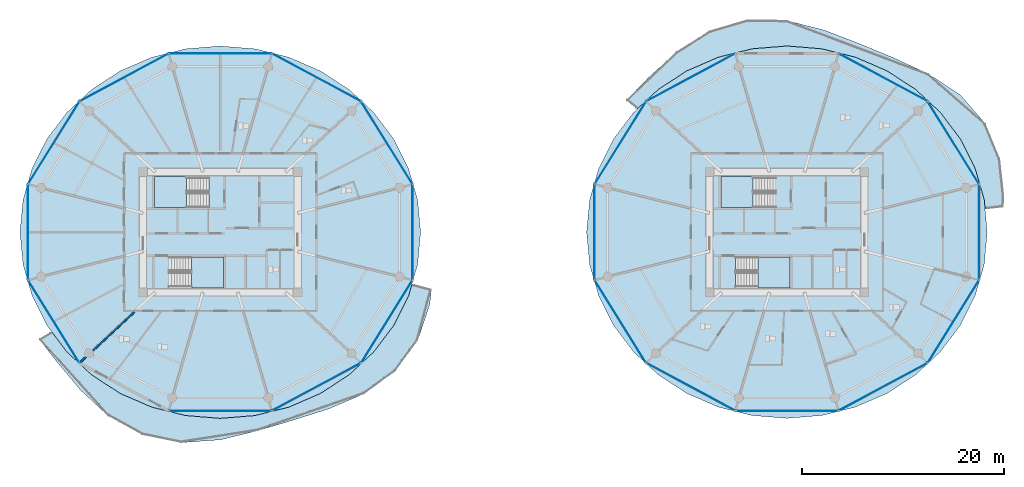
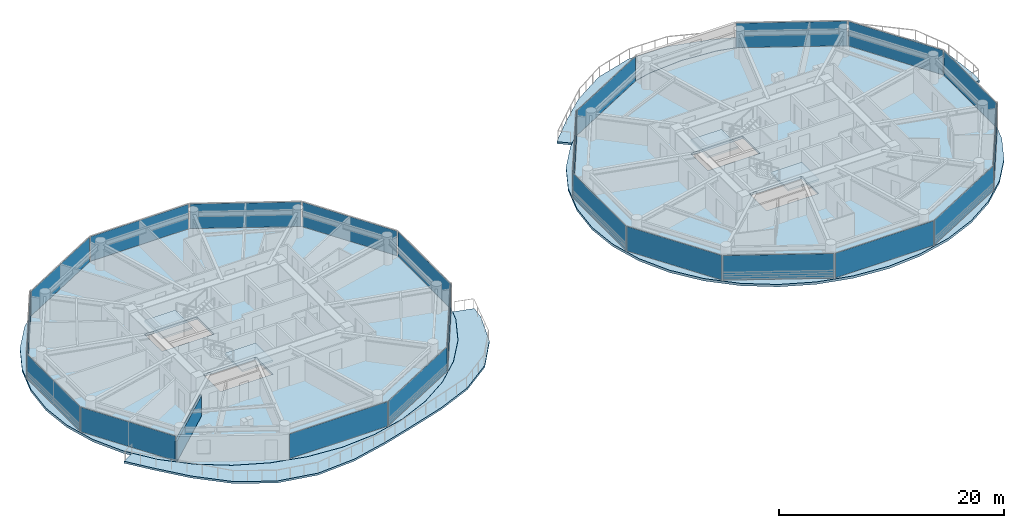
# One storey, part 14 of 27: 22 plates, 8 slabs, 1 wall, 26 elements without a shape of their own.
"""IFC4 building model written with IfcOpenShell, lengths in metres."""

import ifcopenshell
import ifcopenshell.guid

model = None  # the IFC model being written
_history = None  # IfcOwnerHistory: only IFC2X3 demands one
_inside = {}  # id of a spatial element -> (the spatial element, [elements in it])
_under = {}  # id of a project, library or spatial element -> (it, [spatial elements below it])
_declared = {}  # id of a project -> (the project, [libraries it declares])
_typed = {}  # id of a type object -> (the type object, [elements of that type])
_made_of = {}  # id of a material, layer set ... -> (it, [elements and type objects made of it])


def new_model(schema):
    """Start an empty IFC model of exactly this schema.

    Asked for "IFC4X3", IfcOpenShell would pick the latest addendum, in which some entities
    have other attributes; the version numbers below select the first issue.
    IFC2X3 requires an IfcOwnerHistory on every rooted entity: one is made here for all.
    """
    global model, _history
    if schema == "IFC4X3":
        model = ifcopenshell.file(schema_version=(4, 3, 0, 0))
    else:
        model = ifcopenshell.file(schema=schema)
    _inside.clear()
    _under.clear()
    _declared.clear()
    _typed.clear()
    _made_of.clear()
    _history = None
    if model.schema == "IFC2X3":
        org = make("IfcOrganization", Name="unknown")
        user = make(
            "IfcPersonAndOrganization",
            ThePerson=make("IfcPerson", FamilyName="unknown"),
            TheOrganization=org,
        )
        app = make(
            "IfcApplication",
            ApplicationDeveloper=org,
            Version="unknown",
            ApplicationFullName="unknown",
            ApplicationIdentifier="unknown",
        )
        _history = make(
            "IfcOwnerHistory",
            OwningUser=user,
            OwningApplication=app,
            ChangeAction="ADDED",
            CreationDate=0,
        )
    return model


def make(cls, **values):
    """One entity of the class cls with the attributes given. An attribute that is None is left unset."""
    return model.create_entity(
        cls, **{name: value for name, value in values.items() if value is not None}
    )


def rooted(cls, **values):
    """An entity with a GlobalId (a new one), such as an element, a storey or a relation."""
    return make(cls, GlobalId=ifcopenshell.guid.new(), OwnerHistory=_history, **values)


def si_unit(unit_type, name, prefix=None):
    """IfcSIUnit, for example si_unit("LENGTHUNIT", "METRE", prefix="MILLI")."""
    return make("IfcSIUnit", UnitType=unit_type, Prefix=prefix, Name=name)


def assignment(units):
    """IfcUnitAssignment: the units of a project."""
    return None if units is None else make("IfcUnitAssignment", Units=units)


def point(xyz):
    """IfcCartesianPoint."""
    return None if xyz is None else make("IfcCartesianPoint", Coordinates=xyz)


def direction(xyz):
    """IfcDirection."""
    return None if xyz is None else make("IfcDirection", DirectionRatios=xyz)


def frame(location, z_axis=None, x_axis=None):
    """IfcAxis2Placement3D, a coordinate frame: its origin and axes. An axis left out is left unset."""
    return make(
        "IfcAxis2Placement3D",
        Location=point(location),
        Axis=direction(z_axis),
        RefDirection=direction(x_axis),
    )


def frame_2d(location, x_axis=None):
    """IfcAxis2Placement2D, a coordinate frame in the plane: its origin and x axis."""
    return make(
        "IfcAxis2Placement2D", Location=point(location), RefDirection=direction(x_axis)
    )


def origin():
    """The frame at (0, 0, 0) with its axes left unset."""
    return frame((0.0, 0.0, 0.0))


def origin_2d():
    """The frame at (0, 0) in the plane with its x axis left unset."""
    return frame_2d((0.0, 0.0))


def place(relative_to, where):
    """IfcLocalPlacement: puts the frame where relative to a parent placement (None: the world)."""
    return make(
        "IfcLocalPlacement", PlacementRelTo=relative_to, RelativePlacement=where
    )


def context(
    kind, dimensions, precision=None, world=None, true_north=None, identifier=None
):
    """IfcGeometricRepresentationContext, for example the 3D "Model" context."""
    return make(
        "IfcGeometricRepresentationContext",
        ContextIdentifier=identifier,
        ContextType=kind,
        CoordinateSpaceDimension=dimensions,
        Precision=precision,
        WorldCoordinateSystem=world,
        TrueNorth=true_north,
    )


def subcontext(parent, identifier, kind, view, scale=None):
    """IfcGeometricRepresentationSubContext, for example "Body" below "Model"."""
    return make(
        "IfcGeometricRepresentationSubContext",
        ContextIdentifier=identifier,
        ContextType=kind,
        ParentContext=parent,
        TargetScale=scale,
        TargetView=view,
    )


def project(units=None, contexts=None):
    """IfcProject with its units and contexts."""
    return rooted(
        "IfcProject",
        Name="project",
        RepresentationContexts=contexts,
        UnitsInContext=assignment(units),
    )


def spatial(cls, under=None, at=None, **own):
    """A site, building, storey or space (cls), placed at a placement, below another one or the project."""
    s = rooted(cls, ObjectPlacement=at, **own)
    if under is not None:
        _under.setdefault(under.id(), (under, []))[1].append(s)
    return s


def polyline(points):
    """IfcPolyline through the points."""
    return make("IfcPolyline", Points=[point(p) for p in points])


def profile(cls, at=None, kind="AREA", **sizes):
    """A parametric profile (cls). Its sizes go by their IFC names, for example OverallWidth=200.0."""
    return make(cls, ProfileType=kind, Position=at, **sizes)


def rectangle(**sizes):
    """IfcRectangleProfileDef."""
    return profile("IfcRectangleProfileDef", **sizes)


def outline(outer, holes=None, kind="AREA"):
    """IfcArbitraryClosedProfileDef: a profile drawn as a closed curve; with holes, ...WithVoids."""
    if holes is None:
        return make("IfcArbitraryClosedProfileDef", ProfileType=kind, OuterCurve=outer)
    return make(
        "IfcArbitraryProfileDefWithVoids",
        ProfileType=kind,
        OuterCurve=outer,
        InnerCurves=holes,
    )


def extrude(swept, where, along, depth):
    """IfcExtrudedAreaSolid: the profile swept, set in the frame where, extruded along a direction by depth."""
    return make(
        "IfcExtrudedAreaSolid",
        SweptArea=swept,
        Position=where,
        ExtrudedDirection=direction(along),
        Depth=depth,
    )


def shape(context_of_items, identifier, shape_type, items):
    """IfcShapeRepresentation: the items that make up one representation, for example the "Body"."""
    return make(
        "IfcShapeRepresentation",
        ContextOfItems=context_of_items,
        RepresentationIdentifier=identifier,
        RepresentationType=shape_type,
        Items=items,
    )


def source(mapping_origin, context_of_items, identifier, shape_type, items):
    """IfcRepresentationMap: a shape defined once, which mapped items show again and again."""
    return make(
        "IfcRepresentationMap",
        MappingOrigin=mapping_origin,
        MappedRepresentation=shape(context_of_items, identifier, shape_type, items),
    )


def transform(
    local_origin,
    x_axis=None,
    y_axis=None,
    z_axis=None,
    scale=None,
    scale2=None,
    scale3=None,
    uniform=True,
):
    """IfcCartesianTransformationOperator3D, or its non-uniform kind. x_axis, y_axis, z_axis: its Axis1, 2, 3."""
    if uniform:
        return make(
            "IfcCartesianTransformationOperator3D",
            Axis1=direction(x_axis),
            Axis2=direction(y_axis),
            LocalOrigin=point(local_origin),
            Scale=scale,
            Axis3=direction(z_axis),
        )
    return make(
        "IfcCartesianTransformationOperator3DnonUniform",
        Axis1=direction(x_axis),
        Axis2=direction(y_axis),
        LocalOrigin=point(local_origin),
        Scale=scale,
        Axis3=direction(z_axis),
        Scale2=scale2,
        Scale3=scale3,
    )


def mapped(mapping_source, mapping_target):
    """IfcMappedItem: shows the shape of a source again, moved by a transform."""
    return make(
        "IfcMappedItem", MappingSource=mapping_source, MappingTarget=mapping_target
    )


def material(Name=None, Category=None):
    """IfcMaterial."""
    return make("IfcMaterial", Name=Name, Category=Category)


def layer(
    of_material, thickness, ventilated=None, Name=None, Category=None, Priority=None
):
    """IfcMaterialLayer: one layer of a wall or slab, of a material (None: an air gap)."""
    return make(
        "IfcMaterialLayer",
        Material=of_material,
        LayerThickness=thickness,
        IsVentilated=ventilated,
        Name=Name,
        Category=Category,
        Priority=Priority,
    )


def layer_set(layers, Name=None):
    """IfcMaterialLayerSet."""
    return make("IfcMaterialLayerSet", MaterialLayers=layers, LayerSetName=Name)


def made_of(thing, what):
    """Note that an element or type object is made of a material, layer set ...; save() writes the relation."""
    if what is not None:
        _made_of.setdefault(what.id(), (what, []))[1].append(thing)
    return thing


def type_object(cls, material=None, **own):
    """A type object (cls), such as IfcWallType, which elements share."""
    return made_of(rooted(cls, **own), material)


def type_shapes(of_type, sources):
    """Give a type object the sources (RepresentationMaps) that its elements show as mapped items."""
    of_type.RepresentationMaps = sources


def element(
    cls,
    number,
    at=None,
    inside=None,
    cuts=None,
    type_object=None,
    material=None,
    context=None,
    identifier="Body",
    shape_type=None,
    held_by="IfcProductDefinitionShape",
    body=None,
    shapes=None,
    **own,
):
    """One element of the class cls, such as IfcWall. Its Tag is "e" and its number.

    at: its placement. inside: the storey or other place that contains it. cuts: it is an
    opening in that element (IfcRelVoidsElement). A single representation is given by context,
    identifier, shape_type and body (its items); several are given by shapes. held_by: the class
    of the entity that holds the representations. save() writes the other relations.
    """
    e = rooted(cls, Tag="e%d" % number, ObjectPlacement=at, **own)
    if body is not None:
        shapes = [shape(context, identifier, shape_type, body)]
    if shapes is not None:
        e.Representation = make(held_by, Representations=shapes)
    if inside is not None:
        _inside.setdefault(inside.id(), (inside, []))[1].append(e)
    if cuts is not None:
        rooted(
            "IfcRelVoidsElement", RelatingBuildingElement=cuts, RelatedOpeningElement=e
        )
    if type_object is not None:
        _typed.setdefault(type_object.id(), (type_object, []))[1].append(e)
    return made_of(e, material)


def aggregate(whole, parts):
    """IfcRelAggregates: a whole, such as a stair, and the parts it consists of."""
    return rooted("IfcRelAggregates", RelatingObject=whole, RelatedObjects=parts)


def save(model, path):
    """Write the relations noted so far, then the file.

    IfcRelAggregates (storeys below a building ...), IfcRelContainedInSpatialStructure (elements
    in a storey), IfcRelDefinesByType, IfcRelAssociatesMaterial and IfcRelDeclares: one each for
    every whole, place, type object, material and project.
    """
    for whole, parts in _under.values():
        aggregate(whole, parts)
    for where, things in _inside.values():
        rooted(
            "IfcRelContainedInSpatialStructure",
            RelatedElements=things,
            RelatingStructure=where,
        )
    for kind, things in _typed.values():
        rooted("IfcRelDefinesByType", RelatedObjects=things, RelatingType=kind)
    for what, things in _made_of.values():
        rooted("IfcRelAssociatesMaterial", RelatedObjects=things, RelatingMaterial=what)
    for by, libraries in _declared.values():
        rooted("IfcRelDeclares", RelatingContext=by, RelatedDefinitions=libraries)
    model.write(path)


model = new_model("IFC4")

# Units and contexts
model_context = context("Model", 3, precision=1e-05, world=origin(), true_north=direction((0.0, 1.0)))
body_context = subcontext(model_context, "Body", "Model", "MODEL_VIEW")
ifc_project = project(units=[si_unit("LENGTHUNIT", "METRE"), si_unit("AREAUNIT", "SQUARE_METRE"), si_unit("VOLUMEUNIT", "CUBIC_METRE"), si_unit("PLANEANGLEUNIT", "RADIAN"), si_unit("MASSUNIT", "GRAM", prefix="KILO")], contexts=[model_context])

# Site, building, storey
site_placement = place(None, origin())
site = spatial("IfcSite", under=ifc_project, at=site_placement, CompositionType="ELEMENT")
building_placement = place(site_placement, origin())
building = spatial("IfcBuilding", under=site, at=building_placement, Name="Norrkilde Senior Care Towers", CompositionType="ELEMENT")
storey_placement = place(building_placement, frame((0.0, 0.0, 52.10009765625)))
storey = spatial("IfcBuildingStorey", under=building, at=storey_placement, Name="L15", CompositionType="ELEMENT", Elevation=52.10009765625)

# Slabs
ifc_material_1 = material(Name="Concrete C50/60", Category="concrete")
ifc_layer_1 = layer(ifc_material_1, 0.215087890625)
ifc_layer_set_1 = layer_set([ifc_layer_1], Name="Concrete C50/60")
slab_type_1 = type_object("IfcSlabType", Name="Sinusoidal Balcony Ribbon Slab 215", PredefinedType="FLOOR", material=ifc_layer_set_1)
slab_1_placement = place(storey_placement, frame((0.0, 0.0, -0.215087890625)))
element("IfcSlab", 1, at=slab_1_placement, inside=storey, type_object=slab_type_1, Name="L15 Drum W Swirling Senior Balcony 1", PredefinedType="FLOOR", context=body_context, shape_type="SweptSolid", body=[
    extrude(outline(polyline([(-8.4775390625, -10.675537109375), (-10.714599609375, -13.739501953125), (-13.80322265625, -15.97998046875), (-17.278564453125, -17.4658203125), (-20.791748046875, -18.580322265625), (-24.314208984375, -19.631591796875), (-28.0, -20.52490234375), (-31.8779296875, -20.803466796875), (-35.697509765625, -20.0263671875), (-39.087890625, -18.14892578125), (-41.870849609375, -15.56201171875), (-44.204345703125, -12.763427734375), (-45.904296875, -10.580810546875), (-44.6650390625, -9.848388671875), (-43.171630859375, -11.83056640625), (-40.73046875, -14.09912109375), (-37.902587890625, -15.939208984375), (-34.773681640625, -17.294921875), (-31.439208984375, -18.12548828125), (-28.0, -18.405029296875), (-24.560791015625, -18.12548828125), (-21.226318359375, -17.294921875), (-18.097412109375, -15.939208984375), (-15.26953125, -14.09912109375), (-12.828369140625, -11.83056640625), (-10.848388671875, -9.202392578125), (-9.389404296875, -6.294921875), (-9.0556640625, -5.137451171875), (-7.1337890625, -5.65869140625), (-7.2900390625, -7.1171875), (-8.4775390625, -10.675537109375)])), origin(), (0.0, 0.0, 1.0), 0.215087890625),
])
slab_2_placement = place(storey_placement, frame((0.0, 0.0, -0.215087890625)))
element("IfcSlab", 2, at=slab_2_placement, inside=storey, type_object=slab_type_1, Name="L15 Drum E Swirling Senior Balcony 1", PredefinedType="FLOOR", context=body_context, shape_type="SweptSolid", body=[
    extrude(outline(polyline([(17.095458984375, 17.807373046875), (20.35693359375, 19.86572265625), (24.0947265625, 20.970703125), (28.0, 20.91259765625), (31.739013671875, 19.955810546875), (35.219482421875, 18.613525390625), (38.58740234375, 17.216064453125), (41.951171875, 15.664794921875), (45.114501953125, 13.585205078125), (47.610595703125, 10.73046875), (49.04833984375, 7.249755859375), (49.454833984375, 3.566162109375), (49.393798828125, 2.484375), (47.5908203125, 2.27490234375), (47.504150390625, 3.196044921875), (46.610595703125, 6.294921875), (45.151611328125, 9.202392578125), (43.171630859375, 11.83056640625), (40.73046875, 14.09912109375), (37.902587890625, 15.939208984375), (34.773681640625, 17.294921875), (31.439208984375, 18.12548828125), (28.0, 18.405029296875), (24.560791015625, 18.12548828125), (21.226318359375, 17.294921875), (18.097412109375, 15.939208984375), (15.26953125, 14.09912109375), (13.195068359375, 12.17138671875), (12.125732421875, 13.050537109375), (14.3310546875, 15.302734375), (17.095458984375, 17.807373046875)])), origin(), (0.0, 0.0, 1.0), 0.215087890625),
])

# Stair, slab
ifc_material_2 = material(Name="Concrete C45/55", Category="concrete")
stair_type = type_object("IfcStairType", Name="Core Protected Dogleg Stair Typical 3050", PredefinedType="HALF_TURN_STAIR", material=ifc_material_2)
stair_1_placement = place(storey_placement, origin())
stair_1 = element("IfcStair", 3, at=stair_1_placement, inside=storey, type_object=stair_type, Name="L15 Protected Core Stair W1", PredefinedType="HALF_TURN_STAIR")
ifc_layer_2 = layer(ifc_material_2, 0.199951171875)
ifc_layer_set_2 = layer_set([ifc_layer_2], Name="Concrete C45/55")
slab_type_2 = type_object("IfcSlabType", Name="Stair Landing Slab 200", PredefinedType="LANDING", material=ifc_layer_set_2)
slab_3_placement = place(storey_placement, frame((0.0, 0.0, 1.324951171875)))
slab_3 = element("IfcSlab", 4, at=slab_3_placement, type_object=slab_type_2, Name="ST-W1 landing 1", PredefinedType="LANDING", context=body_context, shape_type="SweptSolid", body=[
    extrude(outline(polyline([(-31.340087890625, 5.52490234375), (-34.5, 5.52490234375), (-34.5, 2.449951171875), (-31.340087890625, 2.449951171875), (-31.340087890625, 5.52490234375)])), origin(), (0.0, 0.0, 1.0), 0.199951171875),
])
aggregate(stair_1, [slab_3])

stair_2_placement = place(storey_placement, origin())
stair_2 = element("IfcStair", 5, at=stair_2_placement, inside=storey, type_object=stair_type, Name="L15 Protected Core Stair W2", PredefinedType="HALF_TURN_STAIR")
slab_4_placement = place(storey_placement, frame((0.0, 0.0, 1.324951171875)))
slab_4 = element("IfcSlab", 6, at=slab_4_placement, type_object=slab_type_2, Name="ST-W2 landing 1", PredefinedType="LANDING", context=body_context, shape_type="SweptSolid", body=[
    extrude(outline(polyline([(-30.860107421875, -5.52490234375), (-27.699951171875, -5.52490234375), (-27.699951171875, -2.449951171875), (-30.860107421875, -2.449951171875), (-30.860107421875, -5.52490234375)])), origin(), (0.0, 0.0, 1.0), 0.199951171875),
])
aggregate(stair_2, [slab_4])

stair_3_placement = place(storey_placement, origin())
stair_3 = element("IfcStair", 7, at=stair_3_placement, inside=storey, type_object=stair_type, Name="L15 Protected Core Stair E1", PredefinedType="HALF_TURN_STAIR")
slab_5_placement = place(storey_placement, frame((0.0, 0.0, 1.324951171875)))
slab_5 = element("IfcSlab", 8, at=slab_5_placement, type_object=slab_type_2, Name="ST-E1 landing 1", PredefinedType="LANDING", context=body_context, shape_type="SweptSolid", body=[
    extrude(outline(polyline([(24.659912109375, 5.52490234375), (21.5, 5.52490234375), (21.5, 2.449951171875), (24.659912109375, 2.449951171875), (24.659912109375, 5.52490234375)])), origin(), (0.0, 0.0, 1.0), 0.199951171875),
])
aggregate(stair_3, [slab_5])

stair_4_placement = place(storey_placement, origin())
stair_4 = element("IfcStair", 9, at=stair_4_placement, inside=storey, type_object=stair_type, Name="L15 Protected Core Stair E2", PredefinedType="HALF_TURN_STAIR")
slab_6_placement = place(storey_placement, frame((0.0, 0.0, 1.324951171875)))
slab_6 = element("IfcSlab", 10, at=slab_6_placement, type_object=slab_type_2, Name="ST-E2 landing 1", PredefinedType="LANDING", context=body_context, shape_type="SweptSolid", body=[
    extrude(outline(polyline([(25.139892578125, -5.52490234375), (28.300048828125, -5.52490234375), (28.300048828125, -2.449951171875), (25.139892578125, -2.449951171875), (25.139892578125, -5.52490234375)])), origin(), (0.0, 0.0, 1.0), 0.199951171875),
])
aggregate(stair_4, [slab_6])

# Slabs
ifc_layer_3 = layer(ifc_material_1, 0.260009765625)
ifc_layer_set_3 = layer_set([ifc_layer_3], Name="Concrete C50/60")
slab_type_3 = type_object("IfcSlabType", Name="Tower Care Floor Slab 260", PredefinedType="FLOOR", material=ifc_layer_set_3)
slab_7_placement = place(storey_placement, frame((0.0, 0.0, -0.260009765625)))
element("IfcSlab", 11, at=slab_7_placement, inside=storey, type_object=slab_type_3, Name="L15 Drum W Structural Floor Slab", PredefinedType="FLOOR", context=body_context, shape_type="SweptSolid", body=[
    extrude(outline(polyline([(-9.39404296875, -6.293212890625), (-10.852783203125, -9.199951171875), (-12.832275390625, -11.827392578125), (-15.272705078125, -14.09521484375), (-18.10009765625, -15.934814453125), (-21.22802734375, -17.290283203125), (-24.561767578125, -18.120361328125), (-28.0, -18.39990234375), (-31.438232421875, -18.120361328125), (-34.77197265625, -17.290283203125), (-37.89990234375, -15.934814453125), (-40.727294921875, -14.09521484375), (-43.167724609375, -11.827392578125), (-45.147216796875, -9.199951171875), (-46.60595703125, -6.293212890625), (-47.499267578125, -3.195068359375), (-47.800048828125, 0.0), (-47.499267578125, 3.195068359375), (-46.60595703125, 6.293212890625), (-45.147216796875, 9.199951171875), (-43.167724609375, 11.827392578125), (-40.727294921875, 14.09521484375), (-37.89990234375, 15.934814453125), (-34.77197265625, 17.290283203125), (-31.438232421875, 18.120361328125), (-28.0, 18.39990234375), (-24.561767578125, 18.120361328125), (-21.22802734375, 17.290283203125), (-18.10009765625, 15.934814453125), (-15.272705078125, 14.09521484375), (-12.832275390625, 11.827392578125), (-10.852783203125, 9.199951171875), (-9.39404296875, 6.293212890625), (-8.500732421875, 3.195068359375), (-8.199951171875, 0.0), (-8.500732421875, -3.195068359375), (-9.39404296875, -6.293212890625)]), holes=[polyline([(-34.48193359375, 2.468017578125), (-29.117919921875, 2.468017578125), (-29.117919921875, 5.52490234375), (-34.48193359375, 5.52490234375), (-34.48193359375, 2.468017578125)]), polyline([(-27.718017578125, -5.52490234375), (-27.718017578125, -2.468017578125), (-33.08203125, -2.468017578125), (-33.08203125, -5.52490234375), (-27.718017578125, -5.52490234375)])]), origin(), (0.0, 0.0, 1.0), 0.260009765625),
])
slab_8_placement = place(storey_placement, frame((0.0, 0.0, -0.260009765625)))
element("IfcSlab", 12, at=slab_8_placement, inside=storey, type_object=slab_type_3, Name="L15 Drum E Structural Floor Slab", PredefinedType="FLOOR", context=body_context, shape_type="SweptSolid", body=[
    extrude(outline(polyline([(46.60595703125, -6.293212890625), (45.147216796875, -9.199951171875), (43.167724609375, -11.827392578125), (40.727294921875, -14.09521484375), (37.89990234375, -15.934814453125), (34.77197265625, -17.290283203125), (31.438232421875, -18.120361328125), (28.0, -18.39990234375), (24.561767578125, -18.120361328125), (21.22802734375, -17.290283203125), (18.10009765625, -15.934814453125), (15.272705078125, -14.09521484375), (12.832275390625, -11.827392578125), (10.852783203125, -9.199951171875), (9.39404296875, -6.293212890625), (8.500732421875, -3.195068359375), (8.199951171875, 0.0), (8.500732421875, 3.195068359375), (9.39404296875, 6.293212890625), (10.852783203125, 9.199951171875), (12.832275390625, 11.827392578125), (15.272705078125, 14.09521484375), (18.10009765625, 15.934814453125), (21.22802734375, 17.290283203125), (24.561767578125, 18.120361328125), (28.0, 18.39990234375), (31.438232421875, 18.120361328125), (34.77197265625, 17.290283203125), (37.89990234375, 15.934814453125), (40.727294921875, 14.09521484375), (43.167724609375, 11.827392578125), (45.147216796875, 9.199951171875), (46.60595703125, 6.293212890625), (47.499267578125, 3.195068359375), (47.800048828125, 0.0), (47.499267578125, -3.195068359375), (46.60595703125, -6.293212890625)]), holes=[polyline([(21.51806640625, 2.468017578125), (26.882080078125, 2.468017578125), (26.882080078125, 5.52490234375), (21.51806640625, 5.52490234375), (21.51806640625, 2.468017578125)]), polyline([(28.281982421875, -5.52490234375), (28.281982421875, -2.468017578125), (22.91796875, -2.468017578125), (22.91796875, -5.52490234375), (28.281982421875, -5.52490234375)])]), origin(), (0.0, 0.0, 1.0), 0.260009765625),
])

# Curtain wall, plate
ifc_material_3 = material(Name="Triple Low-E Insulated Glazing", Category="glass")
ifc_layer_4 = layer(ifc_material_3, 0.199951171875)
ifc_layer_set_4 = layer_set([ifc_layer_4], Name="Triple Low-E Insulated Glazing")
curtain_wall_type = type_object("IfcCurtainWallType", Name="CW2 Zone 1 Memory Care Curtain Wall", PredefinedType="NOTDEFINED", material=ifc_layer_set_4)
curtain_wall_1_placement = place(storey_placement, origin())
curtain_wall_1 = element("IfcCurtainWall", 13, at=curtain_wall_1_placement, inside=storey, type_object=curtain_wall_type, Name="L15 Drum W Curtain Wall 00", PredefinedType="NOTDEFINED")
ifc_layer_5 = layer(ifc_material_3, 0.035888671875)
ifc_layer_set_5 = layer_set([ifc_layer_5], Name="Triple Low-E Insulated Glazing")
plate_type = type_object("IfcPlateType", Name="Triple Low-E Vision Curtain Panel 36", PredefinedType="CURTAIN_PANEL", material=ifc_layer_set_5)
shared_shape_1 = source(origin(), body_context, "Body", "SweptSolid", [
    extrude(rectangle(XDim=9.518798828125, YDim=0.035888671875, at=origin_2d()), origin(), (0.0, 0.0, 1.0), 2.669921875),
])
plate_1_placement = place(storey_placement, frame((-11.537353515625, 8.82861328125, 0.06005859375), z_axis=(0.0, 0.0, 1.0), x_axis=(0.527900951871, -0.849305943117, 0.0)))
plate_1 = element("IfcPlate", 14, at=plate_1_placement, type_object=plate_type, Name="CW-2 panel 1.1", PredefinedType="CURTAIN_PANEL", context=body_context, shape_type="MappedRepresentation", body=[
    mapped(shared_shape_1, transform((0.0, 0.0, 0.0), x_axis=(1.0, 0.0, 0.0), y_axis=(0.0, 1.0, 0.0), z_axis=(0.0, 0.0, 1.0), scale=1.0)),
])
aggregate(curtain_wall_1, [plate_1])

curtain_wall_2_placement = place(storey_placement, origin())
curtain_wall_2 = element("IfcCurtainWall", 15, at=curtain_wall_2_placement, inside=storey, type_object=curtain_wall_type, Name="L15 Drum W Curtain Wall 04", PredefinedType="NOTDEFINED")
plate_2_placement = place(storey_placement, frame((-44.462646484375, 8.82861328125, 0.06005859375), z_axis=(0.0, 0.0, 1.0), x_axis=(0.527900951871, 0.849305943117, 0.0)))
plate_2 = element("IfcPlate", 16, at=plate_2_placement, type_object=plate_type, Name="CW-2 panel 1.1", PredefinedType="CURTAIN_PANEL", context=body_context, shape_type="MappedRepresentation", body=[
    mapped(shared_shape_1, transform((0.0, 0.0, 0.0), x_axis=(1.0, 0.0, 0.0), y_axis=(0.0, 1.0, 0.0), z_axis=(0.0, 0.0, 1.0), scale=1.0)),
])
aggregate(curtain_wall_2, [plate_2])

curtain_wall_3_placement = place(storey_placement, origin())
curtain_wall_3 = element("IfcCurtainWall", 17, at=curtain_wall_3_placement, inside=storey, type_object=curtain_wall_type, Name="L15 Drum W Curtain Wall 06", PredefinedType="NOTDEFINED")
plate_3_placement = place(storey_placement, frame((-44.462646484375, -8.82861328125, 0.06005859375), z_axis=(0.0, 0.0, 1.0), x_axis=(-0.527900951871, 0.849305943117, 0.0)))
plate_3 = element("IfcPlate", 18, at=plate_3_placement, type_object=plate_type, Name="CW-2 panel 1.1", PredefinedType="CURTAIN_PANEL", context=body_context, shape_type="MappedRepresentation", body=[
    mapped(shared_shape_1, transform((0.0, 0.0, 0.0), x_axis=(1.0, 0.0, 0.0), y_axis=(0.0, 1.0, 0.0), z_axis=(0.0, 0.0, 1.0), scale=1.0)),
])
aggregate(curtain_wall_3, [plate_3])

curtain_wall_4_placement = place(storey_placement, origin())
curtain_wall_4 = element("IfcCurtainWall", 19, at=curtain_wall_4_placement, inside=storey, type_object=curtain_wall_type, Name="L15 Drum W Curtain Wall 10", PredefinedType="NOTDEFINED")
plate_4_placement = place(storey_placement, frame((-11.537353515625, -8.82861328125, 0.06005859375), z_axis=(0.0, 0.0, 1.0), x_axis=(-0.527900951871, -0.849305943117, 0.0)))
plate_4 = element("IfcPlate", 20, at=plate_4_placement, type_object=plate_type, Name="CW-2 panel 1.1", PredefinedType="CURTAIN_PANEL", context=body_context, shape_type="MappedRepresentation", body=[
    mapped(shared_shape_1, transform((0.0, 0.0, 0.0), x_axis=(1.0, 0.0, 0.0), y_axis=(0.0, 1.0, 0.0), z_axis=(0.0, 0.0, 1.0), scale=1.0)),
])
aggregate(curtain_wall_4, [plate_4])

curtain_wall_5_placement = place(storey_placement, origin())
curtain_wall_5 = element("IfcCurtainWall", 21, at=curtain_wall_5_placement, inside=storey, type_object=curtain_wall_type, Name="L15 Drum E Curtain Wall 00", PredefinedType="NOTDEFINED")
plate_5_placement = place(storey_placement, frame((44.462646484375, 8.82861328125, 0.06005859375), z_axis=(0.0, 0.0, 1.0), x_axis=(0.527900951871, -0.849305943117, 0.0)))
plate_5 = element("IfcPlate", 22, at=plate_5_placement, type_object=plate_type, Name="CW-2 panel 1.1", PredefinedType="CURTAIN_PANEL", context=body_context, shape_type="MappedRepresentation", body=[
    mapped(shared_shape_1, transform((0.0, 0.0, 0.0), x_axis=(1.0, 0.0, 0.0), y_axis=(0.0, 1.0, 0.0), z_axis=(0.0, 0.0, 1.0), scale=1.0)),
])
aggregate(curtain_wall_5, [plate_5])

curtain_wall_6_placement = place(storey_placement, origin())
curtain_wall_6 = element("IfcCurtainWall", 23, at=curtain_wall_6_placement, inside=storey, type_object=curtain_wall_type, Name="L15 Drum E Curtain Wall 04", PredefinedType="NOTDEFINED")
plate_6_placement = place(storey_placement, frame((11.537353515625, 8.82861328125, 0.06005859375), z_axis=(0.0, 0.0, 1.0), x_axis=(0.527900951871, 0.849305943117, 0.0)))
plate_6 = element("IfcPlate", 24, at=plate_6_placement, type_object=plate_type, Name="CW-2 panel 1.1", PredefinedType="CURTAIN_PANEL", context=body_context, shape_type="MappedRepresentation", body=[
    mapped(shared_shape_1, transform((0.0, 0.0, 0.0), x_axis=(1.0, 0.0, 0.0), y_axis=(0.0, 1.0, 0.0), z_axis=(0.0, 0.0, 1.0), scale=1.0)),
])
aggregate(curtain_wall_6, [plate_6])

curtain_wall_7_placement = place(storey_placement, origin())
curtain_wall_7 = element("IfcCurtainWall", 25, at=curtain_wall_7_placement, inside=storey, type_object=curtain_wall_type, Name="L15 Drum E Curtain Wall 06", PredefinedType="NOTDEFINED")
plate_7_placement = place(storey_placement, frame((11.537353515625, -8.82861328125, 0.06005859375), z_axis=(0.0, 0.0, 1.0), x_axis=(-0.527900951871, 0.849305943117, 0.0)))
plate_7 = element("IfcPlate", 26, at=plate_7_placement, type_object=plate_type, Name="CW-2 panel 1.1", PredefinedType="CURTAIN_PANEL", context=body_context, shape_type="MappedRepresentation", body=[
    mapped(shared_shape_1, transform((0.0, 0.0, 0.0), x_axis=(1.0, 0.0, 0.0), y_axis=(0.0, 1.0, 0.0), z_axis=(0.0, 0.0, 1.0), scale=1.0)),
])
aggregate(curtain_wall_7, [plate_7])

curtain_wall_8_placement = place(storey_placement, origin())
curtain_wall_8 = element("IfcCurtainWall", 27, at=curtain_wall_8_placement, inside=storey, type_object=curtain_wall_type, Name="L15 Drum E Curtain Wall 10", PredefinedType="NOTDEFINED")
plate_8_placement = place(storey_placement, frame((44.462646484375, -8.82861328125, 0.06005859375), z_axis=(0.0, 0.0, 1.0), x_axis=(-0.527900951871, -0.849305943117, 0.0)))
plate_8 = element("IfcPlate", 28, at=plate_8_placement, type_object=plate_type, Name="CW-2 panel 1.1", PredefinedType="CURTAIN_PANEL", context=body_context, shape_type="MappedRepresentation", body=[
    mapped(shared_shape_1, transform((0.0, 0.0, 0.0), x_axis=(1.0, 0.0, 0.0), y_axis=(0.0, 1.0, 0.0), z_axis=(0.0, 0.0, 1.0), scale=1.0)),
])
aggregate(curtain_wall_8, [plate_8])

curtain_wall_9_placement = place(storey_placement, origin())
curtain_wall_9 = element("IfcCurtainWall", 29, at=curtain_wall_9_placement, inside=storey, type_object=curtain_wall_type, Name="L15 Drum W Curtain Wall 01", PredefinedType="NOTDEFINED")
shared_shape_2 = source(origin(), body_context, "Body", "SweptSolid", [
    extrude(rectangle(XDim=9.880859375, YDim=0.035888671875, at=origin_2d()), origin(), (0.0, 0.0, 1.0), 2.669921875),
])
plate_9_placement = place(storey_placement, frame((-18.495361328125, 15.29150390625, 0.06005859375), z_axis=(0.0, 0.0, 1.0), x_axis=(0.881272866403, -0.472607802456, 0.0)))
plate_9 = element("IfcPlate", 30, at=plate_9_placement, type_object=plate_type, Name="CW-2 panel 1.1", PredefinedType="CURTAIN_PANEL", context=body_context, shape_type="MappedRepresentation", body=[
    mapped(shared_shape_2, transform((0.0, 0.0, 0.0), x_axis=(1.0, 0.0, 0.0), y_axis=(0.0, 1.0, 0.0), z_axis=(0.0, 0.0, 1.0), scale=1.0)),
])
aggregate(curtain_wall_9, [plate_9])

curtain_wall_10_placement = place(storey_placement, origin())
curtain_wall_10 = element("IfcCurtainWall", 31, at=curtain_wall_10_placement, inside=storey, type_object=curtain_wall_type, Name="L15 Drum W Curtain Wall 03", PredefinedType="NOTDEFINED")
plate_10_placement = place(storey_placement, frame((-37.504638671875, 15.29150390625, 0.06005859375), z_axis=(0.0, 0.0, 1.0), x_axis=(0.881272866403, 0.472607802456, 0.0)))
plate_10 = element("IfcPlate", 32, at=plate_10_placement, type_object=plate_type, Name="CW-2 panel 1.1", PredefinedType="CURTAIN_PANEL", context=body_context, shape_type="MappedRepresentation", body=[
    mapped(shared_shape_2, transform((0.0, 0.0, 0.0), x_axis=(1.0, 0.0, 0.0), y_axis=(0.0, 1.0, 0.0), z_axis=(0.0, 0.0, 1.0), scale=1.0)),
])
aggregate(curtain_wall_10, [plate_10])

curtain_wall_11_placement = place(storey_placement, origin())
curtain_wall_11 = element("IfcCurtainWall", 33, at=curtain_wall_11_placement, inside=storey, type_object=curtain_wall_type, Name="L15 Drum W Curtain Wall 09", PredefinedType="NOTDEFINED")
plate_11_placement = place(storey_placement, frame((-18.495361328125, -15.29150390625, 0.06005859375), z_axis=(0.0, 0.0, 1.0), x_axis=(-0.881272866403, -0.472607802456, 0.0)))
plate_11 = element("IfcPlate", 34, at=plate_11_placement, type_object=plate_type, Name="CW-2 panel 1.1", PredefinedType="CURTAIN_PANEL", context=body_context, shape_type="MappedRepresentation", body=[
    mapped(shared_shape_2, transform((0.0, 0.0, 0.0), x_axis=(1.0, 0.0, 0.0), y_axis=(0.0, 1.0, 0.0), z_axis=(0.0, 0.0, 1.0), scale=1.0)),
])
aggregate(curtain_wall_11, [plate_11])

curtain_wall_12_placement = place(storey_placement, origin())
curtain_wall_12 = element("IfcCurtainWall", 35, at=curtain_wall_12_placement, inside=storey, type_object=curtain_wall_type, Name="L15 Drum E Curtain Wall 01", PredefinedType="NOTDEFINED")
plate_12_placement = place(storey_placement, frame((37.504638671875, 15.29150390625, 0.06005859375), z_axis=(0.0, 0.0, 1.0), x_axis=(0.881272866403, -0.472607802456, 0.0)))
plate_12 = element("IfcPlate", 36, at=plate_12_placement, type_object=plate_type, Name="CW-2 panel 1.1", PredefinedType="CURTAIN_PANEL", context=body_context, shape_type="MappedRepresentation", body=[
    mapped(shared_shape_2, transform((0.0, 0.0, 0.0), x_axis=(1.0, 0.0, 0.0), y_axis=(0.0, 1.0, 0.0), z_axis=(0.0, 0.0, 1.0), scale=1.0)),
])
aggregate(curtain_wall_12, [plate_12])

curtain_wall_13_placement = place(storey_placement, origin())
curtain_wall_13 = element("IfcCurtainWall", 37, at=curtain_wall_13_placement, inside=storey, type_object=curtain_wall_type, Name="L15 Drum E Curtain Wall 03", PredefinedType="NOTDEFINED")
plate_13_placement = place(storey_placement, frame((18.495361328125, 15.29150390625, 0.06005859375), z_axis=(0.0, 0.0, 1.0), x_axis=(0.881272866403, 0.472607802456, 0.0)))
plate_13 = element("IfcPlate", 38, at=plate_13_placement, type_object=plate_type, Name="CW-2 panel 1.1", PredefinedType="CURTAIN_PANEL", context=body_context, shape_type="MappedRepresentation", body=[
    mapped(shared_shape_2, transform((0.0, 0.0, 0.0), x_axis=(1.0, 0.0, 0.0), y_axis=(0.0, 1.0, 0.0), z_axis=(0.0, 0.0, 1.0), scale=1.0)),
])
aggregate(curtain_wall_13, [plate_13])

curtain_wall_14_placement = place(storey_placement, origin())
curtain_wall_14 = element("IfcCurtainWall", 39, at=curtain_wall_14_placement, inside=storey, type_object=curtain_wall_type, Name="L15 Drum E Curtain Wall 07", PredefinedType="NOTDEFINED")
plate_14_placement = place(storey_placement, frame((18.495361328125, -15.29150390625, 0.06005859375), z_axis=(0.0, 0.0, 1.0), x_axis=(-0.881272866403, 0.472607802456, 0.0)))
plate_14 = element("IfcPlate", 40, at=plate_14_placement, type_object=plate_type, Name="CW-2 panel 1.1", PredefinedType="CURTAIN_PANEL", context=body_context, shape_type="MappedRepresentation", body=[
    mapped(shared_shape_2, transform((0.0, 0.0, 0.0), x_axis=(1.0, 0.0, 0.0), y_axis=(0.0, 1.0, 0.0), z_axis=(0.0, 0.0, 1.0), scale=1.0)),
])
aggregate(curtain_wall_14, [plate_14])

curtain_wall_15_placement = place(storey_placement, origin())
curtain_wall_15 = element("IfcCurtainWall", 41, at=curtain_wall_15_placement, inside=storey, type_object=curtain_wall_type, Name="L15 Drum E Curtain Wall 09", PredefinedType="NOTDEFINED")
plate_15_placement = place(storey_placement, frame((37.504638671875, -15.29150390625, 0.06005859375), z_axis=(0.0, 0.0, 1.0), x_axis=(-0.881272866403, -0.472607802456, 0.0)))
plate_15 = element("IfcPlate", 42, at=plate_15_placement, type_object=plate_type, Name="CW-2 panel 1.1", PredefinedType="CURTAIN_PANEL", context=body_context, shape_type="MappedRepresentation", body=[
    mapped(shared_shape_2, transform((0.0, 0.0, 0.0), x_axis=(1.0, 0.0, 0.0), y_axis=(0.0, 1.0, 0.0), z_axis=(0.0, 0.0, 1.0), scale=1.0)),
])
aggregate(curtain_wall_15, [plate_15])

curtain_wall_16_placement = place(storey_placement, origin())
curtain_wall_16 = element("IfcCurtainWall", 43, at=curtain_wall_16_placement, inside=storey, type_object=curtain_wall_type, Name="L15 Drum W Curtain Wall 05", PredefinedType="NOTDEFINED")
shared_shape_3 = source(origin(), body_context, "Body", "SweptSolid", [
    extrude(rectangle(XDim=9.33251953125, YDim=0.035888671875, at=origin_2d()), origin(), (0.0, 0.0, 1.0), 2.669921875),
])
plate_16_placement = place(storey_placement, frame((-47.009521484375, 0.0, 0.06005859375), z_axis=(0.0, 0.0, 1.0), x_axis=(0.0, 1.0, 0.0)))
plate_16 = element("IfcPlate", 44, at=plate_16_placement, type_object=plate_type, Name="CW-2 panel 1.1", PredefinedType="CURTAIN_PANEL", context=body_context, shape_type="MappedRepresentation", body=[
    mapped(shared_shape_3, transform((0.0, 0.0, 0.0), x_axis=(1.0, 0.0, 0.0), y_axis=(0.0, 1.0, 0.0), z_axis=(0.0, 0.0, 1.0), scale=1.0)),
])
aggregate(curtain_wall_16, [plate_16])

curtain_wall_17_placement = place(storey_placement, origin())
curtain_wall_17 = element("IfcCurtainWall", 45, at=curtain_wall_17_placement, inside=storey, type_object=curtain_wall_type, Name="L15 Drum W Curtain Wall 11", PredefinedType="NOTDEFINED")
plate_17_placement = place(storey_placement, frame((-8.990478515625, 0.0, 0.06005859375), z_axis=(0.0, 0.0, 1.0), x_axis=(0.0, -1.0, 0.0)))
plate_17 = element("IfcPlate", 46, at=plate_17_placement, type_object=plate_type, Name="CW-2 panel 1.1", PredefinedType="CURTAIN_PANEL", context=body_context, shape_type="MappedRepresentation", body=[
    mapped(shared_shape_3, transform((0.0, 0.0, 0.0), x_axis=(1.0, 0.0, 0.0), y_axis=(0.0, 1.0, 0.0), z_axis=(0.0, 0.0, 1.0), scale=1.0)),
])
aggregate(curtain_wall_17, [plate_17])

curtain_wall_18_placement = place(storey_placement, origin())
curtain_wall_18 = element("IfcCurtainWall", 47, at=curtain_wall_18_placement, inside=storey, type_object=curtain_wall_type, Name="L15 Drum E Curtain Wall 05", PredefinedType="NOTDEFINED")
plate_18_placement = place(storey_placement, frame((8.990478515625, 0.0, 0.06005859375), z_axis=(0.0, 0.0, 1.0), x_axis=(0.0, 1.0, 0.0)))
plate_18 = element("IfcPlate", 48, at=plate_18_placement, type_object=plate_type, Name="CW-2 panel 1.1", PredefinedType="CURTAIN_PANEL", context=body_context, shape_type="MappedRepresentation", body=[
    mapped(shared_shape_3, transform((0.0, 0.0, 0.0), x_axis=(1.0, 0.0, 0.0), y_axis=(0.0, 1.0, 0.0), z_axis=(0.0, 0.0, 1.0), scale=1.0)),
])
aggregate(curtain_wall_18, [plate_18])

curtain_wall_19_placement = place(storey_placement, origin())
curtain_wall_19 = element("IfcCurtainWall", 49, at=curtain_wall_19_placement, inside=storey, type_object=curtain_wall_type, Name="L15 Drum E Curtain Wall 11", PredefinedType="NOTDEFINED")
plate_19_placement = place(storey_placement, frame((47.009521484375, 0.0, 0.06005859375), z_axis=(0.0, 0.0, 1.0), x_axis=(0.0, -1.0, 0.0)))
plate_19 = element("IfcPlate", 50, at=plate_19_placement, type_object=plate_type, Name="CW-2 panel 1.1", PredefinedType="CURTAIN_PANEL", context=body_context, shape_type="MappedRepresentation", body=[
    mapped(shared_shape_3, transform((0.0, 0.0, 0.0), x_axis=(1.0, 0.0, 0.0), y_axis=(0.0, 1.0, 0.0), z_axis=(0.0, 0.0, 1.0), scale=1.0)),
])
aggregate(curtain_wall_19, [plate_19])

curtain_wall_20_placement = place(storey_placement, origin())
curtain_wall_20 = element("IfcCurtainWall", 51, at=curtain_wall_20_placement, inside=storey, type_object=curtain_wall_type, Name="L15 Drum W Curtain Wall 02", PredefinedType="NOTDEFINED")
shared_shape_4 = source(origin(), body_context, "Body", "SweptSolid", [
    extrude(rectangle(XDim=10.05712890625, YDim=0.035888671875, at=origin_2d()), origin(), (0.0, 0.0, 1.0), 2.669921875),
])
type_shapes(plate_type, [shared_shape_1, shared_shape_2, shared_shape_3, shared_shape_4])
plate_20_placement = place(storey_placement, frame((-28.0, 17.6572265625, 0.06005859375), z_axis=(0.0, 0.0, 1.0), x_axis=(1.0, 0.0, 0.0)))
plate_20 = element("IfcPlate", 52, at=plate_20_placement, type_object=plate_type, Name="CW-2 panel 1.1", PredefinedType="CURTAIN_PANEL", context=body_context, shape_type="MappedRepresentation", body=[
    mapped(shared_shape_4, transform((0.0, 0.0, 0.0), x_axis=(1.0, 0.0, 0.0), y_axis=(0.0, 1.0, 0.0), z_axis=(0.0, 0.0, 1.0), scale=1.0)),
])
aggregate(curtain_wall_20, [plate_20])

curtain_wall_21_placement = place(storey_placement, origin())
curtain_wall_21 = element("IfcCurtainWall", 53, at=curtain_wall_21_placement, inside=storey, type_object=curtain_wall_type, Name="L15 Drum W Curtain Wall 08", PredefinedType="NOTDEFINED")
plate_21_placement = place(storey_placement, frame((-28.0, -17.6572265625, 0.06005859375), z_axis=(0.0, 0.0, 1.0), x_axis=(-1.0, 0.0, 0.0)))
plate_21 = element("IfcPlate", 54, at=plate_21_placement, type_object=plate_type, Name="CW-2 panel 1.1", PredefinedType="CURTAIN_PANEL", context=body_context, shape_type="MappedRepresentation", body=[
    mapped(shared_shape_4, transform((0.0, 0.0, 0.0), x_axis=(1.0, 0.0, 0.0), y_axis=(0.0, 1.0, 0.0), z_axis=(0.0, 0.0, 1.0), scale=1.0)),
])
aggregate(curtain_wall_21, [plate_21])

curtain_wall_22_placement = place(storey_placement, origin())
curtain_wall_22 = element("IfcCurtainWall", 55, at=curtain_wall_22_placement, inside=storey, type_object=curtain_wall_type, Name="L15 Drum E Curtain Wall 08", PredefinedType="NOTDEFINED")
plate_22_placement = place(storey_placement, frame((28.0, -17.6572265625, 0.06005859375), z_axis=(0.0, 0.0, 1.0), x_axis=(-1.0, 0.0, 0.0)))
plate_22 = element("IfcPlate", 56, at=plate_22_placement, type_object=plate_type, Name="CW-2 panel 1.1", PredefinedType="CURTAIN_PANEL", context=body_context, shape_type="MappedRepresentation", body=[
    mapped(shared_shape_4, transform((0.0, 0.0, 0.0), x_axis=(1.0, 0.0, 0.0), y_axis=(0.0, 1.0, 0.0), z_axis=(0.0, 0.0, 1.0), scale=1.0)),
])
aggregate(curtain_wall_22, [plate_22])

# Wall
ifc_material_4 = material(Name="Gypsum Acoustic Board")
ifc_layer_6 = layer(ifc_material_4, 0.18994140625)
ifc_layer_set_6 = layer_set([ifc_layer_6], Name="Gypsum Acoustic Board")
wall_type = type_object("IfcWallType", Name="Unit Demising Acoustic Wall 190", PredefinedType="PARTITIONING", material=ifc_layer_set_6)
shared_shape_5 = source(origin(), body_context, "Body", "SweptSolid", [
    extrude(rectangle(XDim=7.4345703125, YDim=0.18994140625, at=frame_2d((3.71728515625, 0.0))), origin(), (0.0, 0.0, 1.0), 2.224853515625),
])
type_shapes(wall_type, [shared_shape_5])
wall_placement = place(storey_placement, frame((-36.48291015625, -7.8798828125, 0.0), z_axis=(0.0, 0.0, 1.0), x_axis=(-0.732651956848, -0.680603489652, 0.0)))
element("IfcWall", 57, at=wall_placement, inside=storey, type_object=wall_type, Name="WL-INT-L15-W-DEM-07-0", PredefinedType="PARTITIONING", context=body_context, shape_type="MappedRepresentation", body=[
    mapped(shared_shape_5, transform((0.0, 0.0, 0.0), x_axis=(1.0, 0.0, 0.0), y_axis=(0.0, 1.0, 0.0), z_axis=(0.0, 0.0, 1.0), scale=1.0)),
])

save(model, "model.ifc")
